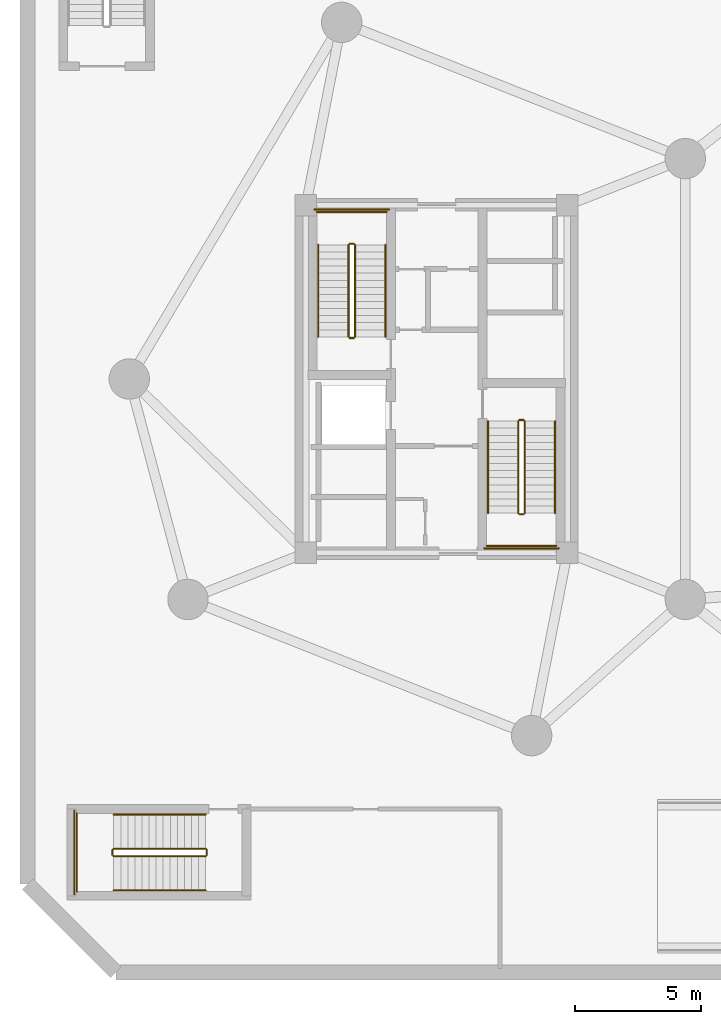
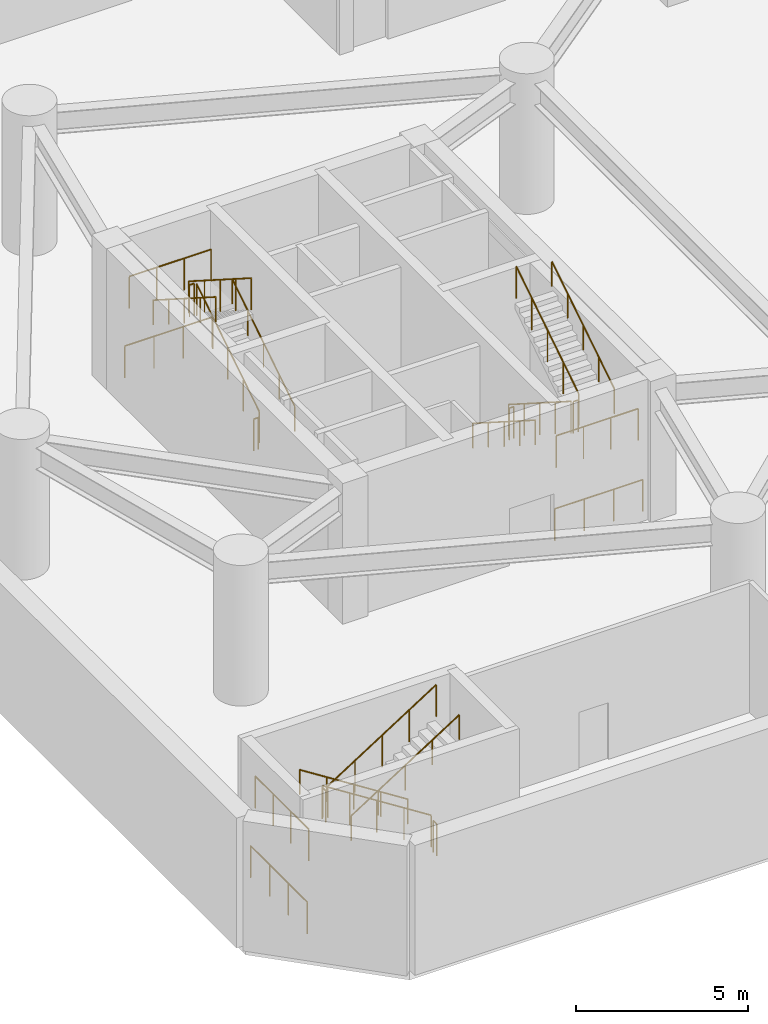
# One storey, part 10 of 14: 24 railings.
"""IFC4 building model written with IfcOpenShell, lengths in metres."""

from ifc_helpers import new_model, si_unit, direction, frame, origin, origin_2d, place, context, subcontext, project, spatial, circle, extrude, material, type_object, element, save


model = new_model("IFC4")

# Units and contexts
model_context = context("Model", 3, precision=1e-05, world=origin(), true_north=direction((0.0, 1.0)))
body_context = subcontext(model_context, "Body", "Model", "MODEL_VIEW")
ifc_project = project(units=[si_unit("LENGTHUNIT", "METRE"), si_unit("AREAUNIT", "SQUARE_METRE"), si_unit("VOLUMEUNIT", "CUBIC_METRE"), si_unit("PLANEANGLEUNIT", "RADIAN"), si_unit("MASSUNIT", "GRAM", prefix="KILO")], contexts=[model_context])

# Site, building, storey
site_placement = place(None, origin())
site = spatial("IfcSite", under=ifc_project, at=site_placement, CompositionType="ELEMENT")
building_placement = place(site_placement, origin())
building = spatial("IfcBuilding", under=site, at=building_placement, Name="Cununo Teusaquillo Station Towers", CompositionType="ELEMENT")
storey_placement = place(building_placement, frame((0.0, 0.0, -5.0)))
storey = spatial("IfcBuildingStorey", under=building, at=storey_placement, Name="B01", CompositionType="ELEMENT", Elevation=-5.0)

# Railings
ifc_material_1 = material(Name="Steel EN 10025-2 S355J2", Category="steel")
railing_type_1 = type_object("IfcRailingType", Name="RL-INT-GUARD", PredefinedType="GUARDRAIL", material=ifc_material_1)
railing_1_placement = place(storey_placement, frame((13.27001953125, 26.169921875, 0.178466796875)))
element("IfcRailing", 1, at=railing_1_placement, inside=storey, type_object=railing_type_1, Name="B01 ST-T1-1 stair guard 1", PredefinedType="GUARDRAIL", context=body_context, shape_type="SweptSolid", body=[
    extrude(circle(Radius=0.02392578125, at=origin_2d()), frame((0.0, 0.0, 1.1259765625), z_axis=(0.0, 0.843127859045, 0.537713132908), x_axis=(-1.0, 0.0, 0.0)), (0.0, 0.0, 1.0), 4.3173828125),
    extrude(circle(Radius=0.02099609375, at=origin_2d()), origin(), (0.0, 0.0, 1.0), 1.101806640625),
    extrude(circle(Radius=0.02099609375, at=origin_2d()), frame((0.0, 0.91015625, 0.580322265625)), (0.0, 0.0, 1.0), 1.101806640625),
    extrude(circle(Radius=0.02099609375, at=origin_2d()), frame((0.0, 1.820068359375, 1.16064453125)), (0.0, 0.0, 1.0), 1.101806640625),
    extrude(circle(Radius=0.02099609375, at=origin_2d()), frame((0.0, 2.72998046875, 1.7412109375)), (0.0, 0.0, 1.0), 1.101806640625),
    extrude(circle(Radius=0.02099609375, at=origin_2d()), frame((0.0, 3.64013671875, 2.321533203125)), (0.0, 0.0, 1.0), 1.101806640625),
])
railing_2_placement = place(storey_placement, frame((13.219970703125, 29.860107421875, 2.5)))
element("IfcRailing", 2, at=railing_2_placement, inside=storey, type_object=railing_type_1, Name="B01 ST-T1-1 stair guard 2", PredefinedType="GUARDRAIL", context=body_context, shape_type="SweptSolid", body=[
    extrude(circle(Radius=0.02392578125, at=origin_2d()), frame((0.0, 0.0, 1.1259765625), z_axis=(-1.0, 0.0, 0.0), x_axis=(0.0, -1.0, 0.0)), (0.0, 0.0, 1.0), 0.159912109375),
    extrude(circle(Radius=0.02099609375, at=origin_2d()), origin(), (0.0, 0.0, 1.0), 1.101806640625),
    extrude(circle(Radius=0.02099609375, at=origin_2d()), frame((-0.159912109375, 0.0, 0.0)), (0.0, 0.0, 1.0), 1.101806640625),
])
railing_3_placement = place(storey_placement, frame((14.52001953125, 31.110107421875, 2.5)))
element("IfcRailing", 3, at=railing_3_placement, inside=storey, type_object=railing_type_1, Name="B01 ST-T1-1 stair guard 3", PredefinedType="GUARDRAIL", context=body_context, shape_type="SweptSolid", body=[
    extrude(circle(Radius=0.02392578125, at=origin_2d()), frame((0.0, 0.0, 1.1259765625), z_axis=(-1.0, 0.0, 0.0), x_axis=(0.0, -1.0, 0.0)), (0.0, 0.0, 1.0), 2.760009765625),
    extrude(circle(Radius=0.02099609375, at=origin_2d()), origin(), (0.0, 0.0, 1.0), 1.101806640625),
    extrude(circle(Radius=0.02099609375, at=origin_2d()), frame((-0.919921875, 0.0, 0.0)), (0.0, 0.0, 1.0), 1.101806640625),
    extrude(circle(Radius=0.02099609375, at=origin_2d()), frame((-1.840087890625, 0.0, 0.0)), (0.0, 0.0, 1.0), 1.101806640625),
    extrude(circle(Radius=0.02099609375, at=origin_2d()), frame((-2.760009765625, 0.0, 0.0)), (0.0, 0.0, 1.0), 1.101806640625),
])
railing_4_placement = place(storey_placement, frame((13.010009765625, 29.81005859375, 2.678466796875)))
element("IfcRailing", 4, at=railing_4_placement, inside=storey, type_object=railing_type_1, Name="B01 ST-T1-1 stair guard 4", PredefinedType="GUARDRAIL", context=body_context, shape_type="SweptSolid", body=[
    extrude(circle(Radius=0.02392578125, at=origin_2d()), frame((0.0, 0.0, 1.1259765625), z_axis=(0.0, -0.843127859045, 0.537713132908), x_axis=(1.0, 0.0, 0.0)), (0.0, 0.0, 1.0), 4.3173828125),
    extrude(circle(Radius=0.02099609375, at=origin_2d()), origin(), (0.0, 0.0, 1.0), 1.101806640625),
    extrude(circle(Radius=0.02099609375, at=origin_2d()), frame((0.0, -0.91015625, 0.580322265625)), (0.0, 0.0, 1.0), 1.101806640625),
    extrude(circle(Radius=0.02099609375, at=origin_2d()), frame((0.0, -1.820068359375, 1.16064453125)), (0.0, 0.0, 1.0), 1.101806640625),
    extrude(circle(Radius=0.02099609375, at=origin_2d()), frame((0.0, -2.72998046875, 1.7412109375)), (0.0, 0.0, 1.0), 1.101806640625),
    extrude(circle(Radius=0.02099609375, at=origin_2d()), frame((0.0, -3.64013671875, 2.321533203125)), (0.0, 0.0, 1.0), 1.101806640625),
])
railing_5_placement = place(storey_placement, frame((13.219970703125, 26.1201171875, 0.0)))
element("IfcRailing", 5, at=railing_5_placement, inside=storey, type_object=railing_type_1, Name="B01 ST-T1-1 stair guard 5", PredefinedType="GUARDRAIL", context=body_context, shape_type="SweptSolid", body=[
    extrude(circle(Radius=0.02392578125, at=origin_2d()), frame((0.0, 0.0, 1.1259765625), z_axis=(-1.0, 0.0, 0.0), x_axis=(0.0, -1.0, 0.0)), (0.0, 0.0, 1.0), 0.159912109375),
    extrude(circle(Radius=0.02099609375, at=origin_2d()), origin(), (0.0, 0.0, 1.0), 1.101806640625),
    extrude(circle(Radius=0.02099609375, at=origin_2d()), frame((-0.159912109375, 0.0, 0.0)), (0.0, 0.0, 1.0), 1.101806640625),
])
railing_6_placement = place(storey_placement, frame((14.6201171875, 31.2099609375, 0.0)))
element("IfcRailing", 6, at=railing_6_placement, inside=storey, type_object=railing_type_1, Name="B01 ST-T1-1 stair guard 6", PredefinedType="GUARDRAIL", context=body_context, shape_type="SweptSolid", body=[
    extrude(circle(Radius=0.02392578125, at=origin_2d()), frame((0.0, 0.0, 1.1259765625), z_axis=(-1.0, 0.0, 0.0), x_axis=(0.0, -1.0, 0.0)), (0.0, 0.0, 1.0), 2.960205078125),
    extrude(circle(Radius=0.02099609375, at=origin_2d()), origin(), (0.0, 0.0, 1.0), 1.101806640625),
    extrude(circle(Radius=0.02099609375, at=origin_2d()), frame((-0.98681640625, 0.0, 0.0)), (0.0, 0.0, 1.0), 1.101806640625),
    extrude(circle(Radius=0.02099609375, at=origin_2d()), frame((-1.973388671875, 0.0, 0.0)), (0.0, 0.0, 1.0), 1.101806640625),
    extrude(circle(Radius=0.02099609375, at=origin_2d()), frame((-2.960205078125, 0.0, 0.0)), (0.0, 0.0, 1.0), 1.101806640625),
])
railing_7_placement = place(storey_placement, frame((19.72998046875, 22.830078125, 0.178466796875)))
element("IfcRailing", 7, at=railing_7_placement, inside=storey, type_object=railing_type_1, Name="B01 ST-T1-2 stair guard 1", PredefinedType="GUARDRAIL", context=body_context, shape_type="SweptSolid", body=[
    extrude(circle(Radius=0.02392578125, at=origin_2d()), frame((0.0, 0.0, 1.1259765625), z_axis=(0.0, -0.843127859045, 0.537713132908), x_axis=(1.0, 0.0, 0.0)), (0.0, 0.0, 1.0), 4.3173828125),
    extrude(circle(Radius=0.02099609375, at=origin_2d()), origin(), (0.0, 0.0, 1.0), 1.101806640625),
    extrude(circle(Radius=0.02099609375, at=origin_2d()), frame((0.0, -0.91015625, 0.580322265625)), (0.0, 0.0, 1.0), 1.101806640625),
    extrude(circle(Radius=0.02099609375, at=origin_2d()), frame((0.0, -1.820068359375, 1.16064453125)), (0.0, 0.0, 1.0), 1.101806640625),
    extrude(circle(Radius=0.02099609375, at=origin_2d()), frame((0.0, -2.72998046875, 1.7412109375)), (0.0, 0.0, 1.0), 1.101806640625),
    extrude(circle(Radius=0.02099609375, at=origin_2d()), frame((0.0, -3.64013671875, 2.321533203125)), (0.0, 0.0, 1.0), 1.101806640625),
])
railing_8_placement = place(storey_placement, frame((19.780029296875, 19.139892578125, 2.5)))
element("IfcRailing", 8, at=railing_8_placement, inside=storey, type_object=railing_type_1, Name="B01 ST-T1-2 stair guard 2", PredefinedType="GUARDRAIL", context=body_context, shape_type="SweptSolid", body=[
    extrude(circle(Radius=0.02392578125, at=origin_2d()), frame((0.0, 0.0, 1.1259765625), z_axis=(1.0, 0.0, 0.0), x_axis=(0.0, 1.0, 0.0)), (0.0, 0.0, 1.0), 0.159912109375),
    extrude(circle(Radius=0.02099609375, at=origin_2d()), origin(), (0.0, 0.0, 1.0), 1.101806640625),
    extrude(circle(Radius=0.02099609375, at=origin_2d()), frame((0.159912109375, 0.0, 0.0)), (0.0, 0.0, 1.0), 1.101806640625),
])
railing_9_placement = place(storey_placement, frame((18.47998046875, 17.889892578125, 2.5)))
element("IfcRailing", 9, at=railing_9_placement, inside=storey, type_object=railing_type_1, Name="B01 ST-T1-2 stair guard 3", PredefinedType="GUARDRAIL", context=body_context, shape_type="SweptSolid", body=[
    extrude(circle(Radius=0.02392578125, at=origin_2d()), frame((0.0, 0.0, 1.1259765625), z_axis=(1.0, 0.0, 0.0), x_axis=(0.0, 1.0, 0.0)), (0.0, 0.0, 1.0), 2.760009765625),
    extrude(circle(Radius=0.02099609375, at=origin_2d()), origin(), (0.0, 0.0, 1.0), 1.101806640625),
    extrude(circle(Radius=0.02099609375, at=origin_2d()), frame((0.919921875, 0.0, 0.0)), (0.0, 0.0, 1.0), 1.101806640625),
    extrude(circle(Radius=0.02099609375, at=origin_2d()), frame((1.840087890625, 0.0, 0.0)), (0.0, 0.0, 1.0), 1.101806640625),
    extrude(circle(Radius=0.02099609375, at=origin_2d()), frame((2.760009765625, 0.0, 0.0)), (0.0, 0.0, 1.0), 1.101806640625),
])
railing_10_placement = place(storey_placement, frame((19.989990234375, 19.18994140625, 2.678466796875)))
element("IfcRailing", 10, at=railing_10_placement, inside=storey, type_object=railing_type_1, Name="B01 ST-T1-2 stair guard 4", PredefinedType="GUARDRAIL", context=body_context, shape_type="SweptSolid", body=[
    extrude(circle(Radius=0.02392578125, at=origin_2d()), frame((0.0, 0.0, 1.1259765625), z_axis=(0.0, 0.843127859045, 0.537713132908), x_axis=(-1.0, 0.0, 0.0)), (0.0, 0.0, 1.0), 4.3173828125),
    extrude(circle(Radius=0.02099609375, at=origin_2d()), origin(), (0.0, 0.0, 1.0), 1.101806640625),
    extrude(circle(Radius=0.02099609375, at=origin_2d()), frame((0.0, 0.91015625, 0.580322265625)), (0.0, 0.0, 1.0), 1.101806640625),
    extrude(circle(Radius=0.02099609375, at=origin_2d()), frame((0.0, 1.820068359375, 1.16064453125)), (0.0, 0.0, 1.0), 1.101806640625),
    extrude(circle(Radius=0.02099609375, at=origin_2d()), frame((0.0, 2.72998046875, 1.7412109375)), (0.0, 0.0, 1.0), 1.101806640625),
    extrude(circle(Radius=0.02099609375, at=origin_2d()), frame((0.0, 3.64013671875, 2.321533203125)), (0.0, 0.0, 1.0), 1.101806640625),
])
railing_11_placement = place(storey_placement, frame((19.780029296875, 22.8798828125, 0.0)))
element("IfcRailing", 11, at=railing_11_placement, inside=storey, type_object=railing_type_1, Name="B01 ST-T1-2 stair guard 5", PredefinedType="GUARDRAIL", context=body_context, shape_type="SweptSolid", body=[
    extrude(circle(Radius=0.02392578125, at=origin_2d()), frame((0.0, 0.0, 1.1259765625), z_axis=(1.0, 0.0, 0.0), x_axis=(0.0, 1.0, 0.0)), (0.0, 0.0, 1.0), 0.159912109375),
    extrude(circle(Radius=0.02099609375, at=origin_2d()), origin(), (0.0, 0.0, 1.0), 1.101806640625),
    extrude(circle(Radius=0.02099609375, at=origin_2d()), frame((0.159912109375, 0.0, 0.0)), (0.0, 0.0, 1.0), 1.101806640625),
])
railing_12_placement = place(storey_placement, frame((18.3798828125, 17.7900390625, 0.0)))
element("IfcRailing", 12, at=railing_12_placement, inside=storey, type_object=railing_type_1, Name="B01 ST-T1-2 stair guard 6", PredefinedType="GUARDRAIL", context=body_context, shape_type="SweptSolid", body=[
    extrude(circle(Radius=0.02392578125, at=origin_2d()), frame((0.0, 0.0, 1.1259765625), z_axis=(1.0, 0.0, 0.0), x_axis=(0.0, 1.0, 0.0)), (0.0, 0.0, 1.0), 2.960205078125),
    extrude(circle(Radius=0.02099609375, at=origin_2d()), origin(), (0.0, 0.0, 1.0), 1.101806640625),
    extrude(circle(Radius=0.02099609375, at=origin_2d()), frame((0.98681640625, 0.0, 0.0)), (0.0, 0.0, 1.0), 1.101806640625),
    extrude(circle(Radius=0.02099609375, at=origin_2d()), frame((1.973388671875, 0.0, 0.0)), (0.0, 0.0, 1.0), 1.101806640625),
    extrude(circle(Radius=0.02099609375, at=origin_2d()), frame((2.960205078125, 0.0, 0.0)), (0.0, 0.0, 1.0), 1.101806640625),
])
railing_13_placement = place(storey_placement, frame((7.35009765625, 5.89990234375, 0.178466796875)))
element("IfcRailing", 13, at=railing_13_placement, inside=storey, type_object=railing_type_1, Name="B01 ST-POD-S stair guard 1", PredefinedType="GUARDRAIL", context=body_context, shape_type="SweptSolid", body=[
    extrude(circle(Radius=0.02392578125, at=origin_2d()), frame((0.0, 0.0, 1.1259765625), z_axis=(-0.843127859045, 0.0, 0.537713132908), x_axis=(0.0, -1.0, 0.0)), (0.0, 0.0, 1.0), 4.3173828125),
    extrude(circle(Radius=0.02099609375, at=origin_2d()), origin(), (0.0, 0.0, 1.0), 1.101806640625),
    extrude(circle(Radius=0.02099609375, at=origin_2d()), frame((-0.91015625, 0.0, 0.580322265625)), (0.0, 0.0, 1.0), 1.101806640625),
    extrude(circle(Radius=0.02099609375, at=origin_2d()), frame((-1.820068359375, 0.0, 1.16064453125)), (0.0, 0.0, 1.0), 1.101806640625),
    extrude(circle(Radius=0.02099609375, at=origin_2d()), frame((-2.72998046875, 0.0, 1.7412109375)), (0.0, 0.0, 1.0), 1.101806640625),
    extrude(circle(Radius=0.02099609375, at=origin_2d()), frame((-3.64013671875, 0.0, 2.321533203125)), (0.0, 0.0, 1.0), 1.101806640625),
])
railing_14_placement = place(storey_placement, frame((3.659912109375, 5.85009765625, 2.5)))
element("IfcRailing", 14, at=railing_14_placement, inside=storey, type_object=railing_type_1, Name="B01 ST-POD-S stair guard 2", PredefinedType="GUARDRAIL", context=body_context, shape_type="SweptSolid", body=[
    extrude(circle(Radius=0.02392578125, at=origin_2d()), frame((0.0, 0.0, 1.1259765625), z_axis=(0.0, -1.0, 0.0), x_axis=(1.0, 0.0, 0.0)), (0.0, 0.0, 1.0), 0.2001953125),
    extrude(circle(Radius=0.02099609375, at=origin_2d()), origin(), (0.0, 0.0, 1.0), 1.101806640625),
    extrude(circle(Radius=0.02099609375, at=origin_2d()), frame((0.0, -0.2001953125, 0.0)), (0.0, 0.0, 1.0), 1.101806640625),
])
railing_15_placement = place(storey_placement, frame((2.25, 7.300048828125, 2.5)))
element("IfcRailing", 15, at=railing_15_placement, inside=storey, type_object=railing_type_1, Name="B01 ST-POD-S stair guard 3", PredefinedType="GUARDRAIL", context=body_context, shape_type="SweptSolid", body=[
    extrude(circle(Radius=0.02392578125, at=origin_2d()), frame((0.0, 0.0, 1.1259765625), z_axis=(0.0, -1.0, 0.0), x_axis=(1.0, 0.0, 0.0)), (0.0, 0.0, 1.0), 3.10009765625),
    extrude(circle(Radius=0.02099609375, at=origin_2d()), origin(), (0.0, 0.0, 1.0), 1.101806640625),
    extrude(circle(Radius=0.02099609375, at=origin_2d()), frame((0.0, -1.033447265625, 0.0)), (0.0, 0.0, 1.0), 1.101806640625),
    extrude(circle(Radius=0.02099609375, at=origin_2d()), frame((0.0, -2.066650390625, 0.0)), (0.0, 0.0, 1.0), 1.101806640625),
    extrude(circle(Radius=0.02099609375, at=origin_2d()), frame((0.0, -3.10009765625, 0.0)), (0.0, 0.0, 1.0), 1.101806640625),
])
railing_16_placement = place(storey_placement, frame((3.7099609375, 5.60009765625, 2.678466796875)))
element("IfcRailing", 16, at=railing_16_placement, inside=storey, type_object=railing_type_1, Name="B01 ST-POD-S stair guard 4", PredefinedType="GUARDRAIL", context=body_context, shape_type="SweptSolid", body=[
    extrude(circle(Radius=0.02392578125, at=origin_2d()), frame((0.0, 0.0, 1.1259765625), z_axis=(0.843127859045, 0.0, 0.537713132908), x_axis=(0.0, 1.0, 0.0)), (0.0, 0.0, 1.0), 4.3173828125),
    extrude(circle(Radius=0.02099609375, at=origin_2d()), origin(), (0.0, 0.0, 1.0), 1.101806640625),
    extrude(circle(Radius=0.02099609375, at=origin_2d()), frame((0.91015625, 0.0, 0.580322265625)), (0.0, 0.0, 1.0), 1.101806640625),
    extrude(circle(Radius=0.02099609375, at=origin_2d()), frame((1.820068359375, 0.0, 1.16064453125)), (0.0, 0.0, 1.0), 1.101806640625),
    extrude(circle(Radius=0.02099609375, at=origin_2d()), frame((2.72998046875, 0.0, 1.7412109375)), (0.0, 0.0, 1.0), 1.101806640625),
    extrude(circle(Radius=0.02099609375, at=origin_2d()), frame((3.64013671875, 0.0, 2.321533203125)), (0.0, 0.0, 1.0), 1.101806640625),
])
railing_17_placement = place(storey_placement, frame((7.39990234375, 5.85009765625, 0.0)))
element("IfcRailing", 17, at=railing_17_placement, inside=storey, type_object=railing_type_1, Name="B01 ST-POD-S stair guard 5", PredefinedType="GUARDRAIL", context=body_context, shape_type="SweptSolid", body=[
    extrude(circle(Radius=0.02392578125, at=origin_2d()), frame((0.0, 0.0, 1.1259765625), z_axis=(0.0, -1.0, 0.0), x_axis=(1.0, 0.0, 0.0)), (0.0, 0.0, 1.0), 0.2001953125),
    extrude(circle(Radius=0.02099609375, at=origin_2d()), origin(), (0.0, 0.0, 1.0), 1.101806640625),
    extrude(circle(Radius=0.02099609375, at=origin_2d()), frame((0.0, -0.2001953125, 0.0)), (0.0, 0.0, 1.0), 1.101806640625),
])
railing_18_placement = place(storey_placement, frame((2.14990234375, 7.39990234375, 0.0)))
element("IfcRailing", 18, at=railing_18_placement, inside=storey, type_object=railing_type_1, Name="B01 ST-POD-S stair guard 6", PredefinedType="GUARDRAIL", context=body_context, shape_type="SweptSolid", body=[
    extrude(circle(Radius=0.02392578125, at=origin_2d()), frame((0.0, 0.0, 1.1259765625), z_axis=(0.0, -1.0, 0.0), x_axis=(1.0, 0.0, 0.0)), (0.0, 0.0, 1.0), 3.2998046875),
    extrude(circle(Radius=0.02099609375, at=origin_2d()), origin(), (0.0, 0.0, 1.0), 1.101806640625),
    extrude(circle(Radius=0.02099609375, at=origin_2d()), frame((0.0, -1.099853515625, 0.0)), (0.0, 0.0, 1.0), 1.101806640625),
    extrude(circle(Radius=0.02099609375, at=origin_2d()), frame((0.0, -2.199951171875, 0.0)), (0.0, 0.0, 1.0), 1.101806640625),
    extrude(circle(Radius=0.02099609375, at=origin_2d()), frame((0.0, -3.2998046875, 0.0)), (0.0, 0.0, 1.0), 1.101806640625),
])
ifc_material_2 = material(Name="Steel EN 10025-2 S355J2", Category="steel")
railing_type_2 = type_object("IfcRailingType", Name="RL-INT-HRAIL", PredefinedType="HANDRAIL", material=ifc_material_2)
railing_19_placement = place(storey_placement, frame((14.469970703125, 26.169921875, 0.178466796875)))
element("IfcRailing", 19, at=railing_19_placement, inside=storey, type_object=railing_type_2, Name="B01 ST-T1-1 stair handrail 1", PredefinedType="HANDRAIL", context=body_context, shape_type="SweptSolid", body=[
    extrude(circle(Radius=0.02392578125, at=origin_2d()), frame((0.0, 0.0, 0.8759765625), z_axis=(0.0, 0.843127859045, 0.537713132908), x_axis=(-1.0, 0.0, 0.0)), (0.0, 0.0, 1.0), 4.3173828125),
    extrude(circle(Radius=0.02099609375, at=origin_2d()), origin(), (0.0, 0.0, 1.0), 0.851806640625),
    extrude(circle(Radius=0.02099609375, at=origin_2d()), frame((0.0, 0.91015625, 0.580322265625)), (0.0, 0.0, 1.0), 0.851806640625),
    extrude(circle(Radius=0.02099609375, at=origin_2d()), frame((0.0, 1.820068359375, 1.16064453125)), (0.0, 0.0, 1.0), 0.851806640625),
    extrude(circle(Radius=0.02099609375, at=origin_2d()), frame((0.0, 2.72998046875, 1.7412109375)), (0.0, 0.0, 1.0), 0.851806640625),
    extrude(circle(Radius=0.02099609375, at=origin_2d()), frame((0.0, 3.64013671875, 2.321533203125)), (0.0, 0.0, 1.0), 0.851806640625),
])
for number, where, name in (
    (20, (11.81005859375, 29.81005859375, 2.678466796875), "B01 ST-T1-1 stair handrail 2"),
    (21, (18.530029296875, 22.830078125, 0.178466796875), "B01 ST-T1-2 stair handrail 1"),
):
    element("IfcRailing", number, at=place(storey_placement, frame(where)), inside=storey, type_object=railing_type_2, Name=name, PredefinedType="HANDRAIL", context=body_context, shape_type="SweptSolid", body=[
        extrude(circle(Radius=0.02392578125, at=origin_2d()), frame((0.0, 0.0, 0.8759765625), z_axis=(0.0, -0.843127859045, 0.537713132908), x_axis=(1.0, 0.0, 0.0)), (0.0, 0.0, 1.0), 4.3173828125),
        extrude(circle(Radius=0.02099609375, at=origin_2d()), origin(), (0.0, 0.0, 1.0), 0.851806640625),
        extrude(circle(Radius=0.02099609375, at=origin_2d()), frame((0.0, -0.91015625, 0.580322265625)), (0.0, 0.0, 1.0), 0.851806640625),
        extrude(circle(Radius=0.02099609375, at=origin_2d()), frame((0.0, -1.820068359375, 1.16064453125)), (0.0, 0.0, 1.0), 0.851806640625),
        extrude(circle(Radius=0.02099609375, at=origin_2d()), frame((0.0, -2.72998046875, 1.7412109375)), (0.0, 0.0, 1.0), 0.851806640625),
        extrude(circle(Radius=0.02099609375, at=origin_2d()), frame((0.0, -3.64013671875, 2.321533203125)), (0.0, 0.0, 1.0), 0.851806640625),
    ])
railing_20_placement = place(storey_placement, frame((21.18994140625, 19.18994140625, 2.678466796875)))
element("IfcRailing", 22, at=railing_20_placement, inside=storey, type_object=railing_type_2, Name="B01 ST-T1-2 stair handrail 2", PredefinedType="HANDRAIL", context=body_context, shape_type="SweptSolid", body=[
    extrude(circle(Radius=0.02392578125, at=origin_2d()), frame((0.0, 0.0, 0.8759765625), z_axis=(0.0, 0.843127859045, 0.537713132908), x_axis=(-1.0, 0.0, 0.0)), (0.0, 0.0, 1.0), 4.3173828125),
    extrude(circle(Radius=0.02099609375, at=origin_2d()), origin(), (0.0, 0.0, 1.0), 0.851806640625),
    extrude(circle(Radius=0.02099609375, at=origin_2d()), frame((0.0, 0.91015625, 0.580322265625)), (0.0, 0.0, 1.0), 0.851806640625),
    extrude(circle(Radius=0.02099609375, at=origin_2d()), frame((0.0, 1.820068359375, 1.16064453125)), (0.0, 0.0, 1.0), 0.851806640625),
    extrude(circle(Radius=0.02099609375, at=origin_2d()), frame((0.0, 2.72998046875, 1.7412109375)), (0.0, 0.0, 1.0), 0.851806640625),
    extrude(circle(Radius=0.02099609375, at=origin_2d()), frame((0.0, 3.64013671875, 2.321533203125)), (0.0, 0.0, 1.0), 0.851806640625),
])
railing_21_placement = place(storey_placement, frame((7.35009765625, 7.25, 0.178466796875)))
element("IfcRailing", 23, at=railing_21_placement, inside=storey, type_object=railing_type_2, Name="B01 ST-POD-S stair handrail 1", PredefinedType="HANDRAIL", context=body_context, shape_type="SweptSolid", body=[
    extrude(circle(Radius=0.02392578125, at=origin_2d()), frame((0.0, 0.0, 0.8759765625), z_axis=(-0.843127859045, 0.0, 0.537713132908), x_axis=(0.0, -1.0, 0.0)), (0.0, 0.0, 1.0), 4.3173828125),
    extrude(circle(Radius=0.02099609375, at=origin_2d()), origin(), (0.0, 0.0, 1.0), 0.851806640625),
    extrude(circle(Radius=0.02099609375, at=origin_2d()), frame((-0.91015625, 0.0, 0.580322265625)), (0.0, 0.0, 1.0), 0.851806640625),
    extrude(circle(Radius=0.02099609375, at=origin_2d()), frame((-1.820068359375, 0.0, 1.16064453125)), (0.0, 0.0, 1.0), 0.851806640625),
    extrude(circle(Radius=0.02099609375, at=origin_2d()), frame((-2.72998046875, 0.0, 1.7412109375)), (0.0, 0.0, 1.0), 0.851806640625),
    extrude(circle(Radius=0.02099609375, at=origin_2d()), frame((-3.64013671875, 0.0, 2.321533203125)), (0.0, 0.0, 1.0), 0.851806640625),
])
railing_22_placement = place(storey_placement, frame((3.7099609375, 4.25, 2.678466796875)))
element("IfcRailing", 24, at=railing_22_placement, inside=storey, type_object=railing_type_2, Name="B01 ST-POD-S stair handrail 2", PredefinedType="HANDRAIL", context=body_context, shape_type="SweptSolid", body=[
    extrude(circle(Radius=0.02392578125, at=origin_2d()), frame((0.0, 0.0, 0.8759765625), z_axis=(0.843127859045, 0.0, 0.537713132908), x_axis=(0.0, 1.0, 0.0)), (0.0, 0.0, 1.0), 4.3173828125),
    extrude(circle(Radius=0.02099609375, at=origin_2d()), origin(), (0.0, 0.0, 1.0), 0.851806640625),
    extrude(circle(Radius=0.02099609375, at=origin_2d()), frame((0.91015625, 0.0, 0.580322265625)), (0.0, 0.0, 1.0), 0.851806640625),
    extrude(circle(Radius=0.02099609375, at=origin_2d()), frame((1.820068359375, 0.0, 1.16064453125)), (0.0, 0.0, 1.0), 0.851806640625),
    extrude(circle(Radius=0.02099609375, at=origin_2d()), frame((2.72998046875, 0.0, 1.7412109375)), (0.0, 0.0, 1.0), 0.851806640625),
    extrude(circle(Radius=0.02099609375, at=origin_2d()), frame((3.64013671875, 0.0, 2.321533203125)), (0.0, 0.0, 1.0), 0.851806640625),
])

save(model, "model.ifc")
